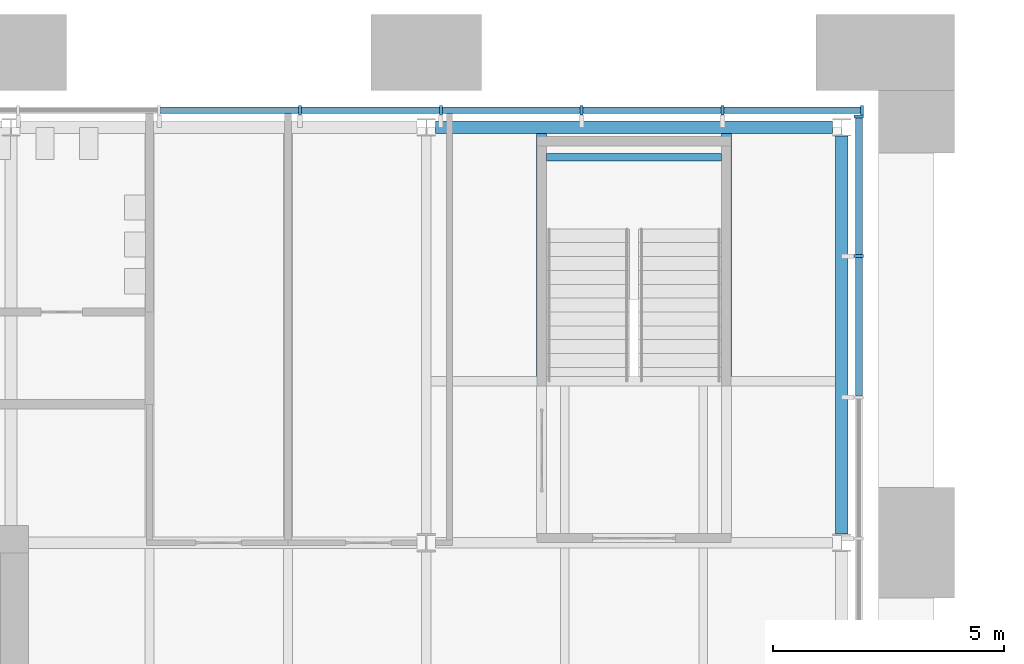
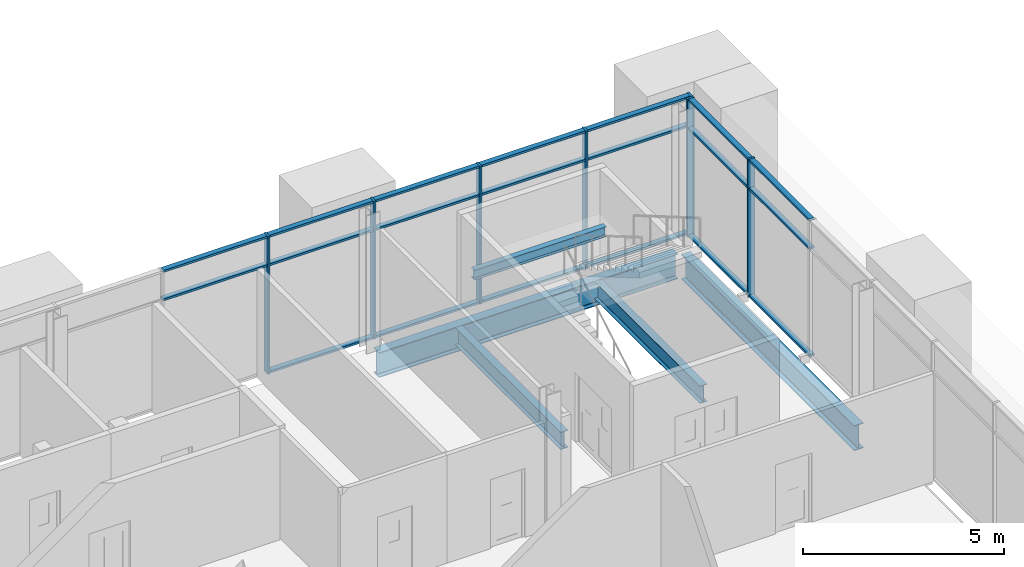
# One storey, part 14 of 43: 27 members, 5 beams, 2 elements without a shape of their own.
"""IFC4 building model written with IfcOpenShell, lengths in metres."""

from ifc_helpers import new_model, si_unit, direction, frame, origin, origin_2d, place, context, subcontext, project, spatial, rectangle, i_section, extrude, material, material_profile, profile_set, type_object, element, aggregate, save


model = new_model("IFC4")

# Units and contexts
model_context = context("Model", 3, precision=1e-05, world=origin(), true_north=direction((0.0, 1.0)))
body_context = subcontext(model_context, "Body", "Model", "MODEL_VIEW")
ifc_project = project(units=[si_unit("LENGTHUNIT", "METRE"), si_unit("AREAUNIT", "SQUARE_METRE"), si_unit("VOLUMEUNIT", "CUBIC_METRE"), si_unit("PLANEANGLEUNIT", "RADIAN"), si_unit("MASSUNIT", "GRAM", prefix="KILO")], contexts=[model_context])

# Site, building, storey
site_placement = place(None, origin())
site = spatial("IfcSite", under=ifc_project, at=site_placement, CompositionType="ELEMENT")
building_placement = place(site_placement, origin())
building = spatial("IfcBuilding", under=site, at=building_placement, Name="Baradari Gate Terminus", CompositionType="ELEMENT")
storey_placement = place(building_placement, frame((0.0, 0.0, 20.10009765625)))
storey = spatial("IfcBuildingStorey", under=building, at=storey_placement, Name="L04", CompositionType="ELEMENT", Elevation=20.10009765625)

# Curtain wall, members
ifc_material_1 = material(Name="Aluminium 6063-T6", Category="aluminium")
curtain_wall_type = type_object("IfcCurtainWallType", Name="Curtain wall CW-1 block unitised, zone L02-L05", PredefinedType="NOTDEFINED", material=ifc_material_1)
curtain_wall_1_placement = place(storey_placement, origin())
curtain_wall_1 = element("IfcCurtainWall", 1, at=curtain_wall_1_placement, inside=storey, type_object=curtain_wall_type, Name="Curtain wall CW-1 Operations block N face L04", PredefinedType="NOTDEFINED")
ifc_material_2 = material(Name="Aluminium 6063-T6", Category="aluminium")
ifc_material_profile_1 = material_profile(ifc_material_2, rectangle(XDim=0.199951171875, YDim=0.06494140625, at=origin_2d()), Name="CM-1 65X200")
ifc_profile_set_1 = profile_set([ifc_material_profile_1], Name="Aluminium 6063-T6")
member_type_1 = type_object("IfcMemberType", Name="Curtain wall mullion CM-1 65x200", PredefinedType="MULLION", material=ifc_profile_set_1)
member_1_placement = place(storey_placement, frame((51.26123046875, 144.3701171875, 0.0), z_axis=(0.0, 0.0, 1.0), x_axis=(0.0, 1.0, 0.0)))
member_1 = element("IfcMember", 2, at=member_1_placement, type_object=member_type_1, Name="CW-1 mullion 15", PredefinedType="MULLION", context=body_context, shape_type="SweptSolid", body=[
    extrude(rectangle(XDim=0.199951171875, YDim=0.06494140625, at=origin_2d()), origin(), (0.0, 0.0, 1.0), 4.199951171875),
])
member_2_placement = place(storey_placement, frame((54.313232421875, 144.3701171875, 0.0), z_axis=(0.0, 0.0, 1.0), x_axis=(0.0, 1.0, 0.0)))
member_2 = element("IfcMember", 3, at=member_2_placement, type_object=member_type_1, Name="CW-1 mullion 16", PredefinedType="MULLION", context=body_context, shape_type="SweptSolid", body=[
    extrude(rectangle(XDim=0.199951171875, YDim=0.06494140625, at=origin_2d()), origin(), (0.0, 0.0, 1.0), 4.199951171875),
])
member_3_placement = place(storey_placement, frame((57.365478515625, 144.3701171875, 0.0), z_axis=(0.0, 0.0, 1.0), x_axis=(0.0, 1.0, 0.0)))
member_3 = element("IfcMember", 4, at=member_3_placement, type_object=member_type_1, Name="CW-1 mullion 17", PredefinedType="MULLION", context=body_context, shape_type="SweptSolid", body=[
    extrude(rectangle(XDim=0.199951171875, YDim=0.06494140625, at=origin_2d()), origin(), (0.0, 0.0, 1.0), 4.199951171875),
])
member_4_placement = place(storey_placement, frame((60.417724609375, 144.3701171875, 0.0), z_axis=(0.0, 0.0, 1.0), x_axis=(0.0, 1.0, 0.0)))
member_4 = element("IfcMember", 5, at=member_4_placement, type_object=member_type_1, Name="CW-1 mullion 18", PredefinedType="MULLION", context=body_context, shape_type="SweptSolid", body=[
    extrude(rectangle(XDim=0.199951171875, YDim=0.06494140625, at=origin_2d()), origin(), (0.0, 0.0, 1.0), 4.199951171875),
])
member_5_placement = place(storey_placement, frame((63.4375, 144.3701171875, 0.0), z_axis=(0.0, 0.0, 1.0), x_axis=(0.0, 1.0, 0.0)))
member_5 = element("IfcMember", 6, at=member_5_placement, type_object=member_type_1, Name="CW-1 mullion 19", PredefinedType="MULLION", context=body_context, shape_type="SweptSolid", body=[
    extrude(rectangle(XDim=0.199951171875, YDim=0.06494140625, at=origin_2d()), origin(), (0.0, 0.0, 1.0), 4.199951171875),
])

curtain_wall_2_placement = place(storey_placement, origin())
curtain_wall_2 = element("IfcCurtainWall", 7, at=curtain_wall_2_placement, inside=storey, type_object=curtain_wall_type, Name="Curtain wall CW-1 Operations block E face L04", PredefinedType="NOTDEFINED")
member_6_placement = place(storey_placement, frame((63.3701171875, 141.2099609375, 0.0), z_axis=(0.0, 0.0, 1.0), x_axis=(-1.0, 0.0, 0.0)))
member_6 = element("IfcMember", 8, at=member_6_placement, type_object=member_type_1, Name="CW-1 mullion 9", PredefinedType="MULLION", context=body_context, shape_type="SweptSolid", body=[
    extrude(rectangle(XDim=0.199951171875, YDim=0.06494140625, at=origin_2d()), origin(), (0.0, 0.0, 1.0), 4.199951171875),
])
member_7_placement = place(storey_placement, frame((63.3701171875, 144.237548828125, 0.0), z_axis=(0.0, 0.0, 1.0), x_axis=(-1.0, 0.0, 0.0)))
member_7 = element("IfcMember", 9, at=member_7_placement, type_object=member_type_1, Name="CW-1 mullion 10", PredefinedType="MULLION", context=body_context, shape_type="SweptSolid", body=[
    extrude(rectangle(XDim=0.199951171875, YDim=0.06494140625, at=origin_2d()), origin(), (0.0, 0.0, 1.0), 4.199951171875),
])

# Member
ifc_material_3 = material(Name="Aluminium 6063-T6", Category="aluminium")
ifc_material_profile_2 = material_profile(ifc_material_3, rectangle(XDim=0.14990234375, YDim=0.06494140625, at=origin_2d()), Name="CT-1 65X150")
ifc_profile_set_2 = profile_set([ifc_material_profile_2], Name="Aluminium 6063-T6")
member_type_2 = type_object("IfcMemberType", Name="Curtain wall transom CT-1 65x150", PredefinedType="USERDEFINED", material=ifc_profile_set_2)
member_8_placement = place(storey_placement, frame((48.241455078125, 144.3701171875, 3.2998046875), z_axis=(1.0, 0.0, 0.0), x_axis=(0.0, 1.0, 0.0)))
member_8 = element("IfcMember", 10, at=member_8_placement, type_object=member_type_2, Name="CW-1 transom 14.2", ObjectType="TRANSOM", PredefinedType="USERDEFINED", context=body_context, shape_type="SweptSolid", body=[
    extrude(rectangle(XDim=0.14990234375, YDim=0.06494140625, at=origin_2d()), origin(), (0.0, 0.0, 1.0), 2.987060546875),
])

member_9_placement = place(storey_placement, frame((48.241455078125, 144.3701171875, 4.16748046875), z_axis=(1.0, 0.0, 0.0), x_axis=(0.0, 1.0, 0.0)))
member_9 = element("IfcMember", 11, at=member_9_placement, type_object=member_type_2, Name="CW-1 transom 14.3", ObjectType="TRANSOM", PredefinedType="USERDEFINED", context=body_context, shape_type="SweptSolid", body=[
    extrude(rectangle(XDim=0.14990234375, YDim=0.06494140625, at=origin_2d()), origin(), (0.0, 0.0, 1.0), 2.987060546875),
])

member_10_placement = place(storey_placement, frame((51.293701171875, 144.3701171875, 0.032470703125), z_axis=(1.0, 0.0, 0.0), x_axis=(0.0, 1.0, 0.0)))
member_10 = element("IfcMember", 12, at=member_10_placement, type_object=member_type_2, Name="CW-1 transom 15.1", ObjectType="TRANSOM", PredefinedType="USERDEFINED", context=body_context, shape_type="SweptSolid", body=[
    extrude(rectangle(XDim=0.14990234375, YDim=0.06494140625, at=origin_2d()), origin(), (0.0, 0.0, 1.0), 2.987060546875),
])

member_11_placement = place(storey_placement, frame((51.293701171875, 144.3701171875, 3.2998046875), z_axis=(1.0, 0.0, 0.0), x_axis=(0.0, 1.0, 0.0)))
member_11 = element("IfcMember", 13, at=member_11_placement, type_object=member_type_2, Name="CW-1 transom 15.2", ObjectType="TRANSOM", PredefinedType="USERDEFINED", context=body_context, shape_type="SweptSolid", body=[
    extrude(rectangle(XDim=0.14990234375, YDim=0.06494140625, at=origin_2d()), origin(), (0.0, 0.0, 1.0), 2.987060546875),
])

member_12_placement = place(storey_placement, frame((51.293701171875, 144.3701171875, 4.16748046875), z_axis=(1.0, 0.0, 0.0), x_axis=(0.0, 1.0, 0.0)))
member_12 = element("IfcMember", 14, at=member_12_placement, type_object=member_type_2, Name="CW-1 transom 15.3", ObjectType="TRANSOM", PredefinedType="USERDEFINED", context=body_context, shape_type="SweptSolid", body=[
    extrude(rectangle(XDim=0.14990234375, YDim=0.06494140625, at=origin_2d()), origin(), (0.0, 0.0, 1.0), 2.987060546875),
])

member_13_placement = place(storey_placement, frame((54.345947265625, 144.3701171875, 0.032470703125), z_axis=(1.0, 0.0, 0.0), x_axis=(0.0, 1.0, 0.0)))
member_13 = element("IfcMember", 15, at=member_13_placement, type_object=member_type_2, Name="CW-1 transom 16.1", ObjectType="TRANSOM", PredefinedType="USERDEFINED", context=body_context, shape_type="SweptSolid", body=[
    extrude(rectangle(XDim=0.14990234375, YDim=0.06494140625, at=origin_2d()), origin(), (0.0, 0.0, 1.0), 2.987060546875),
])

member_14_placement = place(storey_placement, frame((54.345947265625, 144.3701171875, 3.2998046875), z_axis=(1.0, 0.0, 0.0), x_axis=(0.0, 1.0, 0.0)))
member_14 = element("IfcMember", 16, at=member_14_placement, type_object=member_type_2, Name="CW-1 transom 16.2", ObjectType="TRANSOM", PredefinedType="USERDEFINED", context=body_context, shape_type="SweptSolid", body=[
    extrude(rectangle(XDim=0.14990234375, YDim=0.06494140625, at=origin_2d()), origin(), (0.0, 0.0, 1.0), 2.987060546875),
])

member_15_placement = place(storey_placement, frame((54.345947265625, 144.3701171875, 4.16748046875), z_axis=(1.0, 0.0, 0.0), x_axis=(0.0, 1.0, 0.0)))
member_15 = element("IfcMember", 17, at=member_15_placement, type_object=member_type_2, Name="CW-1 transom 16.3", ObjectType="TRANSOM", PredefinedType="USERDEFINED", context=body_context, shape_type="SweptSolid", body=[
    extrude(rectangle(XDim=0.14990234375, YDim=0.06494140625, at=origin_2d()), origin(), (0.0, 0.0, 1.0), 2.987060546875),
])

member_16_placement = place(storey_placement, frame((57.39794921875, 144.3701171875, 0.032470703125), z_axis=(1.0, 0.0, 0.0), x_axis=(0.0, 1.0, 0.0)))
member_16 = element("IfcMember", 18, at=member_16_placement, type_object=member_type_2, Name="CW-1 transom 17.1", ObjectType="TRANSOM", PredefinedType="USERDEFINED", context=body_context, shape_type="SweptSolid", body=[
    extrude(rectangle(XDim=0.14990234375, YDim=0.06494140625, at=origin_2d()), origin(), (0.0, 0.0, 1.0), 2.9873046875),
])

member_17_placement = place(storey_placement, frame((57.39794921875, 144.3701171875, 3.2998046875), z_axis=(1.0, 0.0, 0.0), x_axis=(0.0, 1.0, 0.0)))
member_17 = element("IfcMember", 19, at=member_17_placement, type_object=member_type_2, Name="CW-1 transom 17.2", ObjectType="TRANSOM", PredefinedType="USERDEFINED", context=body_context, shape_type="SweptSolid", body=[
    extrude(rectangle(XDim=0.14990234375, YDim=0.06494140625, at=origin_2d()), origin(), (0.0, 0.0, 1.0), 2.9873046875),
])

member_18_placement = place(storey_placement, frame((57.39794921875, 144.3701171875, 4.16748046875), z_axis=(1.0, 0.0, 0.0), x_axis=(0.0, 1.0, 0.0)))
member_18 = element("IfcMember", 20, at=member_18_placement, type_object=member_type_2, Name="CW-1 transom 17.3", ObjectType="TRANSOM", PredefinedType="USERDEFINED", context=body_context, shape_type="SweptSolid", body=[
    extrude(rectangle(XDim=0.14990234375, YDim=0.06494140625, at=origin_2d()), origin(), (0.0, 0.0, 1.0), 2.9873046875),
])

member_19_placement = place(storey_placement, frame((60.4501953125, 144.3701171875, 0.032470703125), z_axis=(1.0, 0.0, 0.0), x_axis=(0.0, 1.0, 0.0)))
member_19 = element("IfcMember", 21, at=member_19_placement, type_object=member_type_2, Name="CW-1 transom 18.1", ObjectType="TRANSOM", PredefinedType="USERDEFINED", context=body_context, shape_type="SweptSolid", body=[
    extrude(rectangle(XDim=0.14990234375, YDim=0.06494140625, at=origin_2d()), origin(), (0.0, 0.0, 1.0), 2.954833984375),
])

member_20_placement = place(storey_placement, frame((60.4501953125, 144.3701171875, 3.2998046875), z_axis=(1.0, 0.0, 0.0), x_axis=(0.0, 1.0, 0.0)))
member_20 = element("IfcMember", 22, at=member_20_placement, type_object=member_type_2, Name="CW-1 transom 18.2", ObjectType="TRANSOM", PredefinedType="USERDEFINED", context=body_context, shape_type="SweptSolid", body=[
    extrude(rectangle(XDim=0.14990234375, YDim=0.06494140625, at=origin_2d()), origin(), (0.0, 0.0, 1.0), 2.954833984375),
])

member_21_placement = place(storey_placement, frame((60.4501953125, 144.3701171875, 4.16748046875), z_axis=(1.0, 0.0, 0.0), x_axis=(0.0, 1.0, 0.0)))
member_21 = element("IfcMember", 23, at=member_21_placement, type_object=member_type_2, Name="CW-1 transom 18.3", ObjectType="TRANSOM", PredefinedType="USERDEFINED", context=body_context, shape_type="SweptSolid", body=[
    extrude(rectangle(XDim=0.14990234375, YDim=0.06494140625, at=origin_2d()), origin(), (0.0, 0.0, 1.0), 2.954833984375),
])

aggregate(curtain_wall_1, [member_1, member_2, member_3, member_4, member_5, member_8, member_9, member_10, member_11, member_12, member_13, member_14, member_15, member_16, member_17, member_18, member_19, member_20, member_21])

member_22_placement = place(storey_placement, frame((63.3701171875, 138.1826171875, 0.032470703125), z_axis=(0.0, 1.0, 0.0), x_axis=(-1.0, 0.0, 0.0)))
member_22 = element("IfcMember", 24, at=member_22_placement, type_object=member_type_2, Name="CW-1 transom 8.1", ObjectType="TRANSOM", PredefinedType="USERDEFINED", context=body_context, shape_type="SweptSolid", body=[
    extrude(rectangle(XDim=0.14990234375, YDim=0.06494140625, at=origin_2d()), origin(), (0.0, 0.0, 1.0), 2.994873046875),
])

member_23_placement = place(storey_placement, frame((63.3701171875, 138.1826171875, 3.2998046875), z_axis=(0.0, 1.0, 0.0), x_axis=(-1.0, 0.0, 0.0)))
member_23 = element("IfcMember", 25, at=member_23_placement, type_object=member_type_2, Name="CW-1 transom 8.2", ObjectType="TRANSOM", PredefinedType="USERDEFINED", context=body_context, shape_type="SweptSolid", body=[
    extrude(rectangle(XDim=0.14990234375, YDim=0.06494140625, at=origin_2d()), origin(), (0.0, 0.0, 1.0), 2.994873046875),
])

member_24_placement = place(storey_placement, frame((63.3701171875, 138.1826171875, 4.16748046875), z_axis=(0.0, 1.0, 0.0), x_axis=(-1.0, 0.0, 0.0)))
member_24 = element("IfcMember", 26, at=member_24_placement, type_object=member_type_2, Name="CW-1 transom 8.3", ObjectType="TRANSOM", PredefinedType="USERDEFINED", context=body_context, shape_type="SweptSolid", body=[
    extrude(rectangle(XDim=0.14990234375, YDim=0.06494140625, at=origin_2d()), origin(), (0.0, 0.0, 1.0), 2.994873046875),
])

member_25_placement = place(storey_placement, frame((63.3701171875, 141.242431640625, 0.032470703125), z_axis=(0.0, 1.0, 0.0), x_axis=(-1.0, 0.0, 0.0)))
member_25 = element("IfcMember", 27, at=member_25_placement, type_object=member_type_2, Name="CW-1 transom 9.1", ObjectType="TRANSOM", PredefinedType="USERDEFINED", context=body_context, shape_type="SweptSolid", body=[
    extrude(rectangle(XDim=0.14990234375, YDim=0.06494140625, at=origin_2d()), origin(), (0.0, 0.0, 1.0), 2.962646484375),
])

member_26_placement = place(storey_placement, frame((63.3701171875, 141.242431640625, 3.2998046875), z_axis=(0.0, 1.0, 0.0), x_axis=(-1.0, 0.0, 0.0)))
member_26 = element("IfcMember", 28, at=member_26_placement, type_object=member_type_2, Name="CW-1 transom 9.2", ObjectType="TRANSOM", PredefinedType="USERDEFINED", context=body_context, shape_type="SweptSolid", body=[
    extrude(rectangle(XDim=0.14990234375, YDim=0.06494140625, at=origin_2d()), origin(), (0.0, 0.0, 1.0), 2.962646484375),
])

member_27_placement = place(storey_placement, frame((63.3701171875, 141.242431640625, 4.16748046875), z_axis=(0.0, 1.0, 0.0), x_axis=(-1.0, 0.0, 0.0)))
member_27 = element("IfcMember", 29, at=member_27_placement, type_object=member_type_2, Name="CW-1 transom 9.3", ObjectType="TRANSOM", PredefinedType="USERDEFINED", context=body_context, shape_type="SweptSolid", body=[
    extrude(rectangle(XDim=0.14990234375, YDim=0.06494140625, at=origin_2d()), origin(), (0.0, 0.0, 1.0), 2.962646484375),
])

aggregate(curtain_wall_2, [member_6, member_7, member_22, member_23, member_24, member_25, member_26, member_27])

# Beams
ifc_material_4 = material(Name="Steel S355", Category="steel")
ifc_material_profile_3 = material_profile(ifc_material_4, i_section(OverallWidth=0.1650390625, OverallDepth=0.303466796875, WebThickness=0.006103515625, FlangeThickness=0.01025390625, FilletRadius=0.0087890625, at=origin_2d()), Name="UB 305x165x40")
ifc_profile_set_3 = profile_set([ifc_material_profile_3], Name="Steel S355")
beam_type_1 = type_object("IfcBeamType", Name="Landing beam B76 UB 305x165x40", PredefinedType="BEAM", material=ifc_profile_set_3)
beam_1_placement = place(storey_placement, frame((56.60009765625, 143.35009765625, 1.748291015625), z_axis=(1.0, 0.0, 0.0), x_axis=(0.0, 1.0, 0.0)))
element("IfcBeam", 30, at=beam_1_placement, inside=storey, type_object=beam_type_1, Name="B76 landing beam ST-T3/L1", PredefinedType="BEAM", context=body_context, shape_type="SweptSolid", body=[
    extrude(i_section(OverallWidth=0.1650390625, OverallDepth=0.303466796875, WebThickness=0.006103515625, FlangeThickness=0.01025390625, FilletRadius=0.0087890625, at=origin_2d()), origin(), (0.0, 0.0, 1.0), 3.7998046875),
])
ifc_material_5 = material(Name="Steel S355", Category="steel")
ifc_material_profile_4 = material_profile(ifc_material_5, i_section(OverallWidth=0.2666015625, OverallDepth=0.76220703125, WebThickness=0.014404296875, FlangeThickness=0.021484375, FilletRadius=0.0166015625, at=origin_2d()), Name="UB 762x267x173")
ifc_profile_set_4 = profile_set([ifc_material_profile_4], Name="Steel S355")
beam_type_2 = type_object("IfcBeamType", Name="Operations block moment frame beam B24 UB 762x267x173", PredefinedType="BEAM", material=ifc_profile_set_4)
beam_2_placement = place(storey_placement, frame((54.197509765625, 144.0, -0.51123046875), z_axis=(1.0, 0.0, 0.0), x_axis=(0.0, 1.0, 0.0)))
element("IfcBeam", 31, at=beam_2_placement, inside=storey, type_object=beam_type_2, Name="Operations block moment frame beam B24 S:54.197-62.803 L04", PredefinedType="BEAM", context=body_context, shape_type="SweptSolid", body=[
    extrude(i_section(OverallWidth=0.2666015625, OverallDepth=0.76220703125, WebThickness=0.014404296875, FlangeThickness=0.021484375, FilletRadius=0.0166015625, at=origin_2d()), origin(), (0.0, 0.0, 1.0), 8.60498046875),
])
beam_3_placement = place(storey_placement, frame((63.0, 135.1904296875, -0.51123046875), z_axis=(0.0, 1.0, 0.0), x_axis=(-1.0, 0.0, 0.0)))
element("IfcBeam", 32, at=beam_3_placement, inside=storey, type_object=beam_type_2, Name="Operations block moment frame beam B24 8:135.19-143.81 L04", PredefinedType="BEAM", context=body_context, shape_type="SweptSolid", body=[
    extrude(i_section(OverallWidth=0.2666015625, OverallDepth=0.76220703125, WebThickness=0.014404296875, FlangeThickness=0.021484375, FilletRadius=0.0166015625, at=origin_2d()), origin(), (0.0, 0.0, 1.0), 8.619140625),
])
ifc_material_6 = material(Name="Steel S355", Category="steel")
ifc_material_profile_5 = material_profile(ifc_material_6, i_section(OverallWidth=0.209228515625, OverallDepth=0.533203125, WebThickness=0.010009765625, FlangeThickness=0.015625, FilletRadius=0.0126953125, at=origin_2d()), Name="UB 533x210x92")
ifc_profile_set_5 = profile_set([ifc_material_profile_5], Name="Steel S355")
beam_type_3 = type_object("IfcBeamType", Name="Operations block trimmer beam B27 UB 533x210x92", PredefinedType="BEAM", material=ifc_profile_set_5)
for number, where, z_axis, x_axis, name in (
    (33, (56.4951171875, 138.6044921875, -0.396728515625), (0.0, 1.0, 0.0), (-1.0, 0.0, 0.0), "Operations block trimmer beam B27 56.495:138.605-143.867 L04"),
    (34, (60.5048828125, 138.6044921875, -0.396728515625), (0.0, 1.0, 0.0), (-1.0, 0.0, 0.0), "Operations block trimmer beam B27 60.505:138.605-143.867 L04"),
):
    element("IfcBeam", number, at=place(storey_placement, frame(where, z_axis=z_axis, x_axis=x_axis)), inside=storey, type_object=beam_type_3, Name=name, PredefinedType="BEAM", context=body_context, shape_type="SweptSolid", body=[
        extrude(i_section(OverallWidth=0.209228515625, OverallDepth=0.533203125, WebThickness=0.010009765625, FlangeThickness=0.015625, FilletRadius=0.0126953125, at=origin_2d()), origin(), (0.0, 0.0, 1.0), 5.26220703125),
    ])

save(model, "model.ifc")
